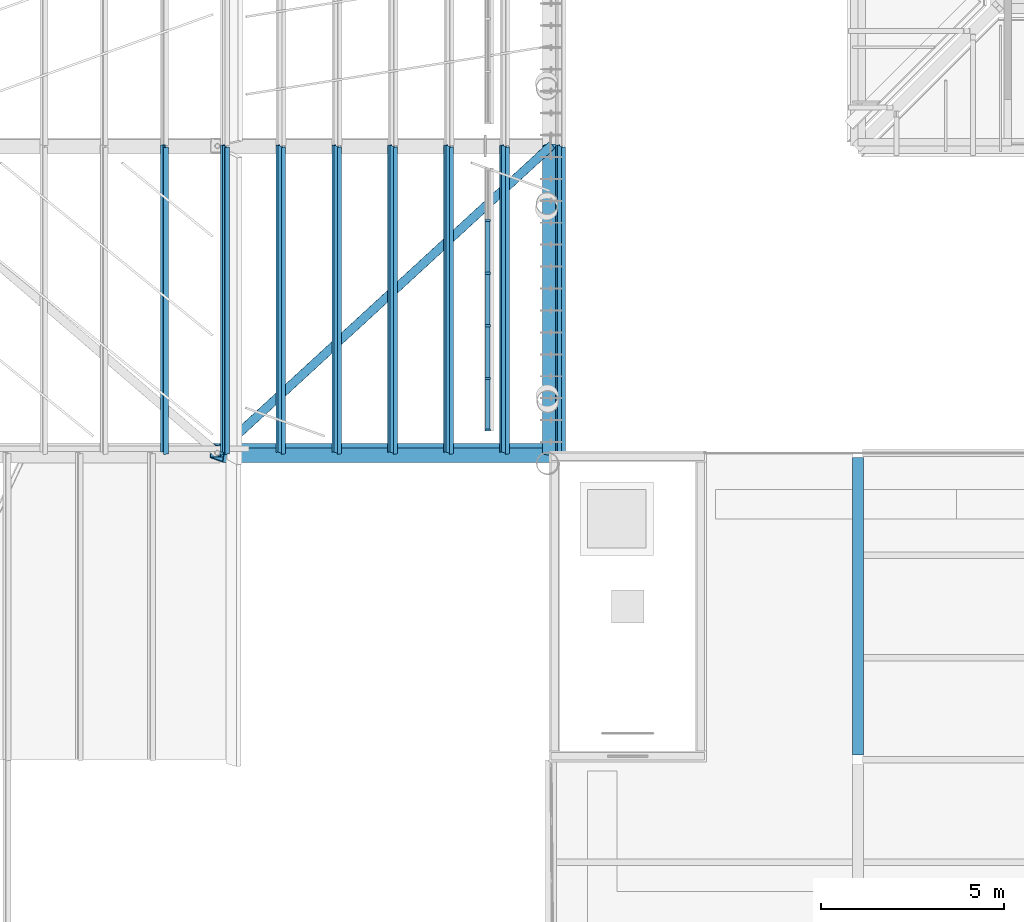
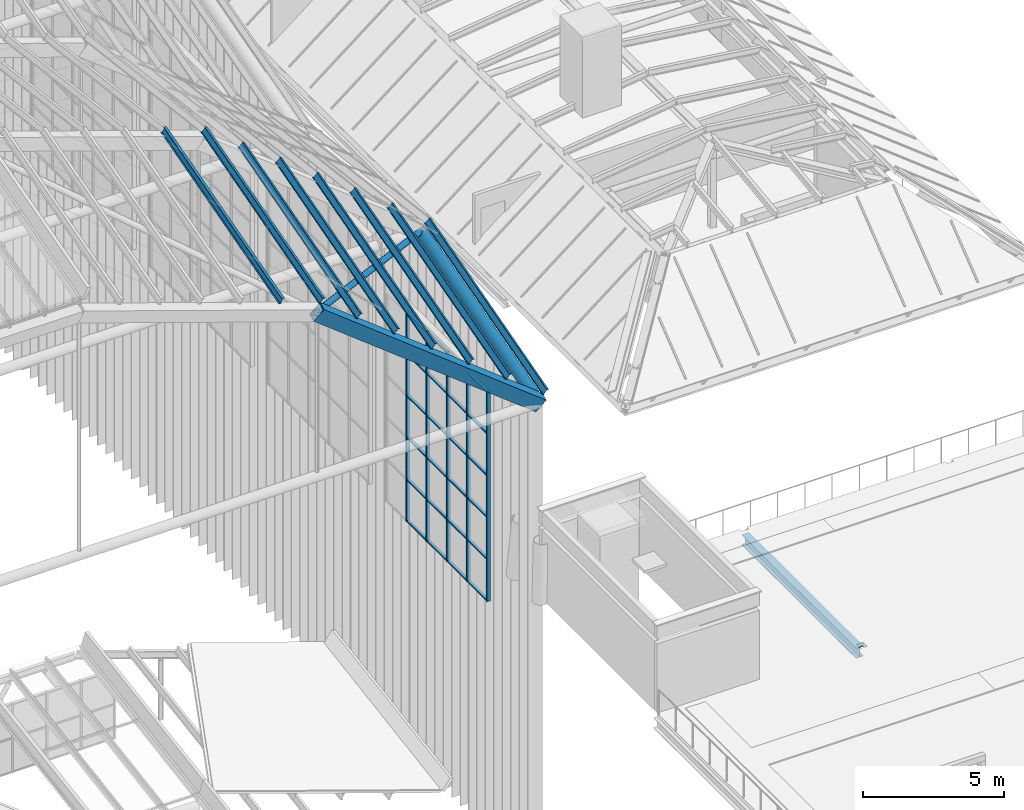
# One storey, part 33 of 126: 38 members, 3 beams, 1 element without a shape of its own.
"""IFC4 building model written with IfcOpenShell, lengths in metres."""

from ifc_helpers import new_model, si_unit, direction, frame, origin, origin_2d, place, context, subcontext, project, spatial, polyline, rectangle, hollow_circle, i_section, outline, extrude, material, material_profile, profile_set, type_object, element, aggregate, save


model = new_model("IFC4")

# Units and contexts
model_context = context("Model", 3, precision=1e-05, world=origin(), true_north=direction((0.0, 1.0)))
body_context = subcontext(model_context, "Body", "Model", "MODEL_VIEW")
ifc_project = project(units=[si_unit("LENGTHUNIT", "METRE"), si_unit("AREAUNIT", "SQUARE_METRE"), si_unit("VOLUMEUNIT", "CUBIC_METRE"), si_unit("PLANEANGLEUNIT", "RADIAN"), si_unit("MASSUNIT", "GRAM", prefix="KILO")], contexts=[model_context])

# Site, building, storey
site_placement = place(None, origin())
site = spatial("IfcSite", under=ifc_project, at=site_placement, CompositionType="ELEMENT")
building_placement = place(site_placement, origin())
building = spatial("IfcBuilding", under=site, at=building_placement, Name="Sava Quay Ferry Terminal", CompositionType="ELEMENT")
storey_placement = place(building_placement, frame((0.0, 0.0, 15.0)))
storey = spatial("IfcBuildingStorey", under=building, at=storey_placement, Name="L03", CompositionType="ELEMENT", Elevation=15.0)

# Beams
ifc_material_1 = material(Name="Steel S355", Category="steel")
ifc_material_profile_1 = material_profile(ifc_material_1, outline(polyline([(-0.199951171875, -0.300048828125), (0.199951171875, -0.300048828125), (0.199951171875, 0.300048828125), (-0.199951171875, 0.300048828125), (-0.199951171875, -0.300048828125)]), holes=[polyline([(-0.175048828125, -0.27490234375), (-0.175048828125, 0.27490234375), (0.175048828125, 0.27490234375), (0.175048828125, -0.27490234375), (-0.175048828125, -0.27490234375)])]), Name="Box 600x400x25 built-up")
ifc_profile_set_1 = profile_set([ifc_material_profile_1], Name="Steel S355")
beam_type_1 = type_object("IfcBeamType", Name="D folded rib Box 600x400x25", PredefinedType="BEAM", material=ifc_profile_set_1)
beam_1_placement = place(storey_placement, frame((74.8701171875, 50.39990234375, 15.533203125), z_axis=(0.788000093929, 0.0, -0.615675118847), x_axis=(0.13292263996, 0.976416061373, 0.170127149152)))
element("IfcBeam", 1, at=beam_1_placement, inside=storey, type_object=beam_type_1, Name="Departure hall folded rib R0 seg 5", PredefinedType="BEAM", context=body_context, shape_type="SweptSolid", body=[
    extrude(outline(polyline([(-0.199951171875, -0.300048828125), (0.199951171875, -0.300048828125), (0.199951171875, 0.300048828125), (-0.199951171875, 0.300048828125), (-0.199951171875, -0.300048828125)]), holes=[polyline([(-0.175048828125, -0.27490234375), (-0.175048828125, 0.27490234375), (0.175048828125, 0.27490234375), (0.175048828125, -0.27490234375), (-0.175048828125, -0.27490234375)])]), origin(), (0.0, 0.0, 1.0), 11.586181640625),
])
ifc_material_2 = material(Name="Steel S355", Category="steel")
ifc_material_profile_2 = material_profile(ifc_material_2, hollow_circle(Radius=0.228515625, WallThickness=0.01611328125, at=origin_2d()), Name="CHS 457 x 16.0")
ifc_profile_set_2 = profile_set([ifc_material_profile_2], Name="Steel S355")
beam_type_2 = type_object("IfcBeamType", Name="Eave beam CHS 457x16", PredefinedType="BEAM", material=ifc_profile_set_2)
beam_2_placement = place(storey_placement, frame((84.0, 50.39990234375, 8.39990234375), z_axis=(0.0, 0.962810996405, 0.270175841262), x_axis=(-1.0, 0.0, 0.0)))
element("IfcBeam", 2, at=beam_2_placement, inside=storey, type_object=beam_type_2, Name="Departure hall eave beam R1", PredefinedType="BEAM", context=body_context, shape_type="SweptSolid", body=[
    extrude(hollow_circle(Radius=0.228515625, WallThickness=0.01611328125, at=origin_2d()), origin(), (0.0, 0.0, 1.0), 8.724609375),
])
ifc_material_3 = material(Name="Steel S355", Category="steel")
ifc_material_profile_3 = material_profile(ifc_material_3, i_section(OverallWidth=0.300048828125, OverallDepth=0.449951171875, WebThickness=0.013916015625, FlangeThickness=0.02587890625, at=origin_2d()), Name="HE 450 B")
ifc_profile_set_3 = profile_set([ifc_material_profile_3], Name="Steel S355")
beam_type_3 = type_object("IfcBeamType", Name="Girder HE 450 B", PredefinedType="BEAM", material=ifc_profile_set_3)
beam_3_placement = place(storey_placement, frame((92.39990234375, 42.1298828125, -0.375), z_axis=(0.0, 1.0, 0.0), x_axis=(-1.0, 0.0, 0.0)))
element("IfcBeam", 3, at=beam_3_placement, inside=storey, type_object=beam_type_3, Name="Girder L03", PredefinedType="BEAM", context=body_context, shape_type="SweptSolid", body=[
    extrude(i_section(OverallWidth=0.300048828125, OverallDepth=0.449951171875, WebThickness=0.013916015625, FlangeThickness=0.02587890625, at=origin_2d()), origin(), (0.0, 0.0, 1.0), 8.14013671875),
])

# Curtain wall, members
ifc_material_4 = material(Name="Aluminium and glass curtain wall, double low-e glazed", Category="aluminium")
curtain_wall_type = type_object("IfcCurtainWallType", Name="Curtain wall CW-F flank", PredefinedType="NOTDEFINED", material=ifc_material_4)
curtain_wall_placement = place(storey_placement, origin())
curtain_wall = element("IfcCurtainWall", 4, at=curtain_wall_placement, inside=storey, type_object=curtain_wall_type, Name="Curtain wall D-E L03 bay 1", PredefinedType="NOTDEFINED")
ifc_material_5 = material(Name="Aluminium EN AW-6063 T6", Category="aluminium")
ifc_material_profile_4 = material_profile(ifc_material_5, rectangle(XDim=0.14990234375, YDim=0.06005859375, at=origin_2d()), Name="Mullion 60x150 aluminium")
ifc_profile_set_4 = profile_set([ifc_material_profile_4], Name="Aluminium EN AW-6063 T6")
member_type_1 = type_object("IfcMemberType", Name="Mullion 60x150 aluminium", PredefinedType="MULLION", material=ifc_profile_set_4)
member_1_placement = place(storey_placement, frame((82.27490234375, 51.030029296875, 0.0), z_axis=(0.0, 0.0, 1.0), x_axis=(-1.0, 0.0, 0.0)))
member_1 = element("IfcMember", 5, at=member_1_placement, type_object=member_type_1, Name="CW39 mullion 1", PredefinedType="MULLION", context=body_context, shape_type="SweptSolid", body=[
    extrude(rectangle(XDim=0.14990234375, YDim=0.06005859375, at=origin_2d()), origin(), (0.0, 0.0, 1.0), 9.10009765625),
])
member_2_placement = place(storey_placement, frame((82.27490234375, 52.43994140625, 0.0), z_axis=(0.0, 0.0, 1.0), x_axis=(-1.0, 0.0, 0.0)))
member_2 = element("IfcMember", 6, at=member_2_placement, type_object=member_type_1, Name="CW39 mullion 2", PredefinedType="MULLION", context=body_context, shape_type="SweptSolid", body=[
    extrude(rectangle(XDim=0.14990234375, YDim=0.06005859375, at=origin_2d()), origin(), (0.0, 0.0, 1.0), 9.10009765625),
])
member_3_placement = place(storey_placement, frame((82.27490234375, 53.8798828125, 0.0), z_axis=(0.0, 0.0, 1.0), x_axis=(-1.0, 0.0, 0.0)))
member_3 = element("IfcMember", 7, at=member_3_placement, type_object=member_type_1, Name="CW39 mullion 3", PredefinedType="MULLION", context=body_context, shape_type="SweptSolid", body=[
    extrude(rectangle(XDim=0.14990234375, YDim=0.06005859375, at=origin_2d()), origin(), (0.0, 0.0, 1.0), 9.10009765625),
])
member_4_placement = place(storey_placement, frame((82.27490234375, 55.320068359375, 0.0), z_axis=(0.0, 0.0, 1.0), x_axis=(-1.0, 0.0, 0.0)))
member_4 = element("IfcMember", 8, at=member_4_placement, type_object=member_type_1, Name="CW39 mullion 4", PredefinedType="MULLION", context=body_context, shape_type="SweptSolid", body=[
    extrude(rectangle(XDim=0.14990234375, YDim=0.06005859375, at=origin_2d()), origin(), (0.0, 0.0, 1.0), 9.10009765625),
])
member_5_placement = place(storey_placement, frame((82.27490234375, 56.760009765625, 0.0), z_axis=(0.0, 0.0, 1.0), x_axis=(-1.0, 0.0, 0.0)))
member_5 = element("IfcMember", 9, at=member_5_placement, type_object=member_type_1, Name="CW39 mullion 5", PredefinedType="MULLION", context=body_context, shape_type="SweptSolid", body=[
    extrude(rectangle(XDim=0.14990234375, YDim=0.06005859375, at=origin_2d()), origin(), (0.0, 0.0, 1.0), 9.10009765625),
])

# Members
ifc_material_6 = material(Name="Steel S355", Category="steel")
ifc_material_profile_5 = material_profile(ifc_material_6, hollow_circle(Radius=0.122314453125, WallThickness=0.008056640625, at=origin_2d()), Name="CHS 244.5 x 8.0")
ifc_profile_set_5 = profile_set([ifc_material_profile_5], Name="Steel S355")
member_type_2 = type_object("IfcMemberType", Name="Roof brace CHS 244.5x8", PredefinedType="BRACE", material=ifc_profile_set_5)
member_6_placement = place(storey_placement, frame((74.8701171875, 50.39990234375, 15.533203125), z_axis=(0.686770794895, 0.63187834902, -0.359270966428), x_axis=(-0.677085093418, 0.735904733149, 0.0)))
element("IfcMember", 10, at=member_6_placement, inside=storey, type_object=member_type_2, Name="Departure hall roof brace bay 1 panel 5", PredefinedType="BRACE", context=body_context, shape_type="SweptSolid", body=[
    extrude(hollow_circle(Radius=0.122314453125, WallThickness=0.008056640625, at=origin_2d()), origin(), (0.0, 0.0, 1.0), 13.2939453125),
])
ifc_material_7 = material(Name="Steel S355", Category="steel")
ifc_material_profile_6 = material_profile(ifc_material_7, i_section(OverallWidth=0.135009765625, OverallDepth=0.27001953125, WebThickness=0.006591796875, FlangeThickness=0.01025390625, at=origin_2d()), Name="IPE 270")
ifc_profile_set_6 = profile_set([ifc_material_profile_6], Name="Steel S355")
member_type_3 = type_object("IfcMemberType", Name="Roof purlin IPE 270", PredefinedType="PURLIN", material=ifc_profile_set_6)
for number, where, z_axis, x_axis, name in (
    (11, (73.423828125, 50.39990234375, 16.507080078125), (0.0, 0.962818275279, 0.270149900588), (-0.949197315574, -0.08501118009, 0.302981113877), "Departure hall purlin bay 1 M3.5"),
    (12, (75.074462890625, 50.39990234375, 15.938720703125), (0.0, 0.962818275279, 0.270149900588), (-0.885826064608, -0.12535426489, 0.446764469866), "Departure hall purlin bay 1 V4"),
    (13, (76.605712890625, 50.39990234375, 14.742431640625), (0.0, 0.962818275279, 0.270149900588), (-0.799142410931, -0.162398384779, 0.578790265703), "Departure hall purlin bay 1 M4.1"),
    (14, (78.136962890625, 50.39990234375, 13.546142578125), (0.0, 0.962818275279, 0.270149900588), (-0.799142410931, -0.162398384779, 0.578790265703), "Departure hall purlin bay 1 M4.2"),
    (15, (79.66796875, 50.39990234375, 12.349853515625), (0.0, 0.962818275279, 0.270149900588), (-0.799142410931, -0.162398384779, 0.578790265703), "Departure hall purlin bay 1 M4.3"),
    (16, (81.19921875, 50.39990234375, 11.153564453125), (0.0, 0.962818275279, 0.270149900588), (-0.799142410931, -0.162398384779, 0.578790265703), "Departure hall purlin bay 1 M4.4"),
    (17, (82.730224609375, 50.39990234375, 9.957275390625), (0.0, 0.962818275279, 0.270149900588), (-0.799142410931, -0.162398384779, 0.578790265703), "Departure hall purlin bay 1 M4.5"),
    (18, (84.261474609375, 50.39990234375, 8.760986328125), (0.0, 0.962810996405, 0.270175841262), (-0.799142410931, -0.162413978801, 0.578785890067), "Departure hall edge purlin bay 1 V5"),
):
    element("IfcMember", number, at=place(storey_placement, frame(where, z_axis=z_axis, x_axis=x_axis)), inside=storey, type_object=member_type_3, Name=name, PredefinedType="PURLIN", context=body_context, shape_type="SweptSolid", body=[
        extrude(i_section(OverallWidth=0.135009765625, OverallDepth=0.27001953125, WebThickness=0.006591796875, FlangeThickness=0.01025390625, at=origin_2d()), origin(), (0.0, 0.0, 1.0), 8.724609375),
    ])

# Member
ifc_material_8 = material(Name="Aluminium EN AW-6063 T6", Category="aluminium")
ifc_material_profile_7 = material_profile(ifc_material_8, rectangle(XDim=0.1201171875, YDim=0.050048828125, at=origin_2d()), Name="Transom 50x120 aluminium")
ifc_profile_set_7 = profile_set([ifc_material_profile_7], Name="Aluminium EN AW-6063 T6")
member_type_4 = type_object("IfcMemberType", Name="Transom 50x120 aluminium", PredefinedType="USERDEFINED", material=ifc_profile_set_7)
member_7_placement = place(storey_placement, frame((82.27490234375, 51.06005859375, 0.02490234375), z_axis=(0.0, 1.0, 0.0), x_axis=(-1.0, 0.0, 0.0)))
member_7 = element("IfcMember", 19, at=member_7_placement, type_object=member_type_4, Name="CW39 transom 1.1", ObjectType="TRANSOM", PredefinedType="USERDEFINED", context=body_context, shape_type="SweptSolid", body=[
    extrude(rectangle(XDim=0.1201171875, YDim=0.050048828125, at=origin_2d()), origin(), (0.0, 0.0, 1.0), 1.349853515625),
])

member_8_placement = place(storey_placement, frame((82.27490234375, 51.06005859375, 1.820068359375), z_axis=(0.0, 1.0, 0.0), x_axis=(-1.0, 0.0, 0.0)))
member_8 = element("IfcMember", 20, at=member_8_placement, type_object=member_type_4, Name="CW39 transom 1.2", ObjectType="TRANSOM", PredefinedType="USERDEFINED", context=body_context, shape_type="SweptSolid", body=[
    extrude(rectangle(XDim=0.1201171875, YDim=0.050048828125, at=origin_2d()), origin(), (0.0, 0.0, 1.0), 1.349853515625),
])

member_9_placement = place(storey_placement, frame((82.27490234375, 51.06005859375, 3.639892578125), z_axis=(0.0, 1.0, 0.0), x_axis=(-1.0, 0.0, 0.0)))
member_9 = element("IfcMember", 21, at=member_9_placement, type_object=member_type_4, Name="CW39 transom 1.3", ObjectType="TRANSOM", PredefinedType="USERDEFINED", context=body_context, shape_type="SweptSolid", body=[
    extrude(rectangle(XDim=0.1201171875, YDim=0.050048828125, at=origin_2d()), origin(), (0.0, 0.0, 1.0), 1.349853515625),
])

member_10_placement = place(storey_placement, frame((82.27490234375, 51.06005859375, 5.4599609375), z_axis=(0.0, 1.0, 0.0), x_axis=(-1.0, 0.0, 0.0)))
member_10 = element("IfcMember", 22, at=member_10_placement, type_object=member_type_4, Name="CW39 transom 1.4", ObjectType="TRANSOM", PredefinedType="USERDEFINED", context=body_context, shape_type="SweptSolid", body=[
    extrude(rectangle(XDim=0.1201171875, YDim=0.050048828125, at=origin_2d()), origin(), (0.0, 0.0, 1.0), 1.349853515625),
])

member_11_placement = place(storey_placement, frame((82.27490234375, 51.06005859375, 7.280029296875), z_axis=(0.0, 1.0, 0.0), x_axis=(-1.0, 0.0, 0.0)))
member_11 = element("IfcMember", 23, at=member_11_placement, type_object=member_type_4, Name="CW39 transom 1.5", ObjectType="TRANSOM", PredefinedType="USERDEFINED", context=body_context, shape_type="SweptSolid", body=[
    extrude(rectangle(XDim=0.1201171875, YDim=0.050048828125, at=origin_2d()), origin(), (0.0, 0.0, 1.0), 1.349853515625),
])

member_12_placement = place(storey_placement, frame((82.27490234375, 51.06005859375, 9.074951171875), z_axis=(0.0, 1.0, 0.0), x_axis=(-1.0, 0.0, 0.0)))
member_12 = element("IfcMember", 24, at=member_12_placement, type_object=member_type_4, Name="CW39 transom 1.6", ObjectType="TRANSOM", PredefinedType="USERDEFINED", context=body_context, shape_type="SweptSolid", body=[
    extrude(rectangle(XDim=0.1201171875, YDim=0.050048828125, at=origin_2d()), origin(), (0.0, 0.0, 1.0), 1.349853515625),
])

member_13_placement = place(storey_placement, frame((82.27490234375, 52.469970703125, 0.02490234375), z_axis=(0.0, 1.0, 0.0), x_axis=(-1.0, 0.0, 0.0)))
member_13 = element("IfcMember", 25, at=member_13_placement, type_object=member_type_4, Name="CW39 transom 2.1", ObjectType="TRANSOM", PredefinedType="USERDEFINED", context=body_context, shape_type="SweptSolid", body=[
    extrude(rectangle(XDim=0.1201171875, YDim=0.050048828125, at=origin_2d()), origin(), (0.0, 0.0, 1.0), 1.380126953125),
])

member_14_placement = place(storey_placement, frame((82.27490234375, 52.469970703125, 1.820068359375), z_axis=(0.0, 1.0, 0.0), x_axis=(-1.0, 0.0, 0.0)))
member_14 = element("IfcMember", 26, at=member_14_placement, type_object=member_type_4, Name="CW39 transom 2.2", ObjectType="TRANSOM", PredefinedType="USERDEFINED", context=body_context, shape_type="SweptSolid", body=[
    extrude(rectangle(XDim=0.1201171875, YDim=0.050048828125, at=origin_2d()), origin(), (0.0, 0.0, 1.0), 1.380126953125),
])

member_15_placement = place(storey_placement, frame((82.27490234375, 52.469970703125, 3.639892578125), z_axis=(0.0, 1.0, 0.0), x_axis=(-1.0, 0.0, 0.0)))
member_15 = element("IfcMember", 27, at=member_15_placement, type_object=member_type_4, Name="CW39 transom 2.3", ObjectType="TRANSOM", PredefinedType="USERDEFINED", context=body_context, shape_type="SweptSolid", body=[
    extrude(rectangle(XDim=0.1201171875, YDim=0.050048828125, at=origin_2d()), origin(), (0.0, 0.0, 1.0), 1.380126953125),
])

member_16_placement = place(storey_placement, frame((82.27490234375, 52.469970703125, 5.4599609375), z_axis=(0.0, 1.0, 0.0), x_axis=(-1.0, 0.0, 0.0)))
member_16 = element("IfcMember", 28, at=member_16_placement, type_object=member_type_4, Name="CW39 transom 2.4", ObjectType="TRANSOM", PredefinedType="USERDEFINED", context=body_context, shape_type="SweptSolid", body=[
    extrude(rectangle(XDim=0.1201171875, YDim=0.050048828125, at=origin_2d()), origin(), (0.0, 0.0, 1.0), 1.380126953125),
])

member_17_placement = place(storey_placement, frame((82.27490234375, 52.469970703125, 7.280029296875), z_axis=(0.0, 1.0, 0.0), x_axis=(-1.0, 0.0, 0.0)))
member_17 = element("IfcMember", 29, at=member_17_placement, type_object=member_type_4, Name="CW39 transom 2.5", ObjectType="TRANSOM", PredefinedType="USERDEFINED", context=body_context, shape_type="SweptSolid", body=[
    extrude(rectangle(XDim=0.1201171875, YDim=0.050048828125, at=origin_2d()), origin(), (0.0, 0.0, 1.0), 1.380126953125),
])

member_18_placement = place(storey_placement, frame((82.27490234375, 52.469970703125, 9.074951171875), z_axis=(0.0, 1.0, 0.0), x_axis=(-1.0, 0.0, 0.0)))
member_18 = element("IfcMember", 30, at=member_18_placement, type_object=member_type_4, Name="CW39 transom 2.6", ObjectType="TRANSOM", PredefinedType="USERDEFINED", context=body_context, shape_type="SweptSolid", body=[
    extrude(rectangle(XDim=0.1201171875, YDim=0.050048828125, at=origin_2d()), origin(), (0.0, 0.0, 1.0), 1.380126953125),
])

member_19_placement = place(storey_placement, frame((82.27490234375, 53.909912109375, 0.02490234375), z_axis=(0.0, 1.0, 0.0), x_axis=(-1.0, 0.0, 0.0)))
member_19 = element("IfcMember", 31, at=member_19_placement, type_object=member_type_4, Name="CW39 transom 3.1", ObjectType="TRANSOM", PredefinedType="USERDEFINED", context=body_context, shape_type="SweptSolid", body=[
    extrude(rectangle(XDim=0.1201171875, YDim=0.050048828125, at=origin_2d()), origin(), (0.0, 0.0, 1.0), 1.380126953125),
])

member_20_placement = place(storey_placement, frame((82.27490234375, 53.909912109375, 1.820068359375), z_axis=(0.0, 1.0, 0.0), x_axis=(-1.0, 0.0, 0.0)))
member_20 = element("IfcMember", 32, at=member_20_placement, type_object=member_type_4, Name="CW39 transom 3.2", ObjectType="TRANSOM", PredefinedType="USERDEFINED", context=body_context, shape_type="SweptSolid", body=[
    extrude(rectangle(XDim=0.1201171875, YDim=0.050048828125, at=origin_2d()), origin(), (0.0, 0.0, 1.0), 1.380126953125),
])

member_21_placement = place(storey_placement, frame((82.27490234375, 53.909912109375, 3.639892578125), z_axis=(0.0, 1.0, 0.0), x_axis=(-1.0, 0.0, 0.0)))
member_21 = element("IfcMember", 33, at=member_21_placement, type_object=member_type_4, Name="CW39 transom 3.3", ObjectType="TRANSOM", PredefinedType="USERDEFINED", context=body_context, shape_type="SweptSolid", body=[
    extrude(rectangle(XDim=0.1201171875, YDim=0.050048828125, at=origin_2d()), origin(), (0.0, 0.0, 1.0), 1.380126953125),
])

member_22_placement = place(storey_placement, frame((82.27490234375, 53.909912109375, 5.4599609375), z_axis=(0.0, 1.0, 0.0), x_axis=(-1.0, 0.0, 0.0)))
member_22 = element("IfcMember", 34, at=member_22_placement, type_object=member_type_4, Name="CW39 transom 3.4", ObjectType="TRANSOM", PredefinedType="USERDEFINED", context=body_context, shape_type="SweptSolid", body=[
    extrude(rectangle(XDim=0.1201171875, YDim=0.050048828125, at=origin_2d()), origin(), (0.0, 0.0, 1.0), 1.380126953125),
])

member_23_placement = place(storey_placement, frame((82.27490234375, 53.909912109375, 7.280029296875), z_axis=(0.0, 1.0, 0.0), x_axis=(-1.0, 0.0, 0.0)))
member_23 = element("IfcMember", 35, at=member_23_placement, type_object=member_type_4, Name="CW39 transom 3.5", ObjectType="TRANSOM", PredefinedType="USERDEFINED", context=body_context, shape_type="SweptSolid", body=[
    extrude(rectangle(XDim=0.1201171875, YDim=0.050048828125, at=origin_2d()), origin(), (0.0, 0.0, 1.0), 1.380126953125),
])

member_24_placement = place(storey_placement, frame((82.27490234375, 53.909912109375, 9.074951171875), z_axis=(0.0, 1.0, 0.0), x_axis=(-1.0, 0.0, 0.0)))
member_24 = element("IfcMember", 36, at=member_24_placement, type_object=member_type_4, Name="CW39 transom 3.6", ObjectType="TRANSOM", PredefinedType="USERDEFINED", context=body_context, shape_type="SweptSolid", body=[
    extrude(rectangle(XDim=0.1201171875, YDim=0.050048828125, at=origin_2d()), origin(), (0.0, 0.0, 1.0), 1.380126953125),
])

member_25_placement = place(storey_placement, frame((82.27490234375, 55.35009765625, 0.02490234375), z_axis=(0.0, 1.0, 0.0), x_axis=(-1.0, 0.0, 0.0)))
member_25 = element("IfcMember", 37, at=member_25_placement, type_object=member_type_4, Name="CW39 transom 4.1", ObjectType="TRANSOM", PredefinedType="USERDEFINED", context=body_context, shape_type="SweptSolid", body=[
    extrude(rectangle(XDim=0.1201171875, YDim=0.050048828125, at=origin_2d()), origin(), (0.0, 0.0, 1.0), 1.3798828125),
])

member_26_placement = place(storey_placement, frame((82.27490234375, 55.35009765625, 1.820068359375), z_axis=(0.0, 1.0, 0.0), x_axis=(-1.0, 0.0, 0.0)))
member_26 = element("IfcMember", 38, at=member_26_placement, type_object=member_type_4, Name="CW39 transom 4.2", ObjectType="TRANSOM", PredefinedType="USERDEFINED", context=body_context, shape_type="SweptSolid", body=[
    extrude(rectangle(XDim=0.1201171875, YDim=0.050048828125, at=origin_2d()), origin(), (0.0, 0.0, 1.0), 1.3798828125),
])

member_27_placement = place(storey_placement, frame((82.27490234375, 55.35009765625, 3.639892578125), z_axis=(0.0, 1.0, 0.0), x_axis=(-1.0, 0.0, 0.0)))
member_27 = element("IfcMember", 39, at=member_27_placement, type_object=member_type_4, Name="CW39 transom 4.3", ObjectType="TRANSOM", PredefinedType="USERDEFINED", context=body_context, shape_type="SweptSolid", body=[
    extrude(rectangle(XDim=0.1201171875, YDim=0.050048828125, at=origin_2d()), origin(), (0.0, 0.0, 1.0), 1.3798828125),
])

member_28_placement = place(storey_placement, frame((82.27490234375, 55.35009765625, 5.4599609375), z_axis=(0.0, 1.0, 0.0), x_axis=(-1.0, 0.0, 0.0)))
member_28 = element("IfcMember", 40, at=member_28_placement, type_object=member_type_4, Name="CW39 transom 4.4", ObjectType="TRANSOM", PredefinedType="USERDEFINED", context=body_context, shape_type="SweptSolid", body=[
    extrude(rectangle(XDim=0.1201171875, YDim=0.050048828125, at=origin_2d()), origin(), (0.0, 0.0, 1.0), 1.3798828125),
])

member_29_placement = place(storey_placement, frame((82.27490234375, 55.35009765625, 7.280029296875), z_axis=(0.0, 1.0, 0.0), x_axis=(-1.0, 0.0, 0.0)))
member_29 = element("IfcMember", 41, at=member_29_placement, type_object=member_type_4, Name="CW39 transom 4.5", ObjectType="TRANSOM", PredefinedType="USERDEFINED", context=body_context, shape_type="SweptSolid", body=[
    extrude(rectangle(XDim=0.1201171875, YDim=0.050048828125, at=origin_2d()), origin(), (0.0, 0.0, 1.0), 1.3798828125),
])

member_30_placement = place(storey_placement, frame((82.27490234375, 55.35009765625, 9.074951171875), z_axis=(0.0, 1.0, 0.0), x_axis=(-1.0, 0.0, 0.0)))
member_30 = element("IfcMember", 42, at=member_30_placement, type_object=member_type_4, Name="CW39 transom 4.6", ObjectType="TRANSOM", PredefinedType="USERDEFINED", context=body_context, shape_type="SweptSolid", body=[
    extrude(rectangle(XDim=0.1201171875, YDim=0.050048828125, at=origin_2d()), origin(), (0.0, 0.0, 1.0), 1.3798828125),
])

aggregate(curtain_wall, [member_1, member_2, member_3, member_4, member_5, member_7, member_8, member_9, member_10, member_11, member_12, member_13, member_14, member_15, member_16, member_17, member_18, member_19, member_20, member_21, member_22, member_23, member_24, member_25, member_26, member_27, member_28, member_29, member_30])

save(model, "model.ifc")
